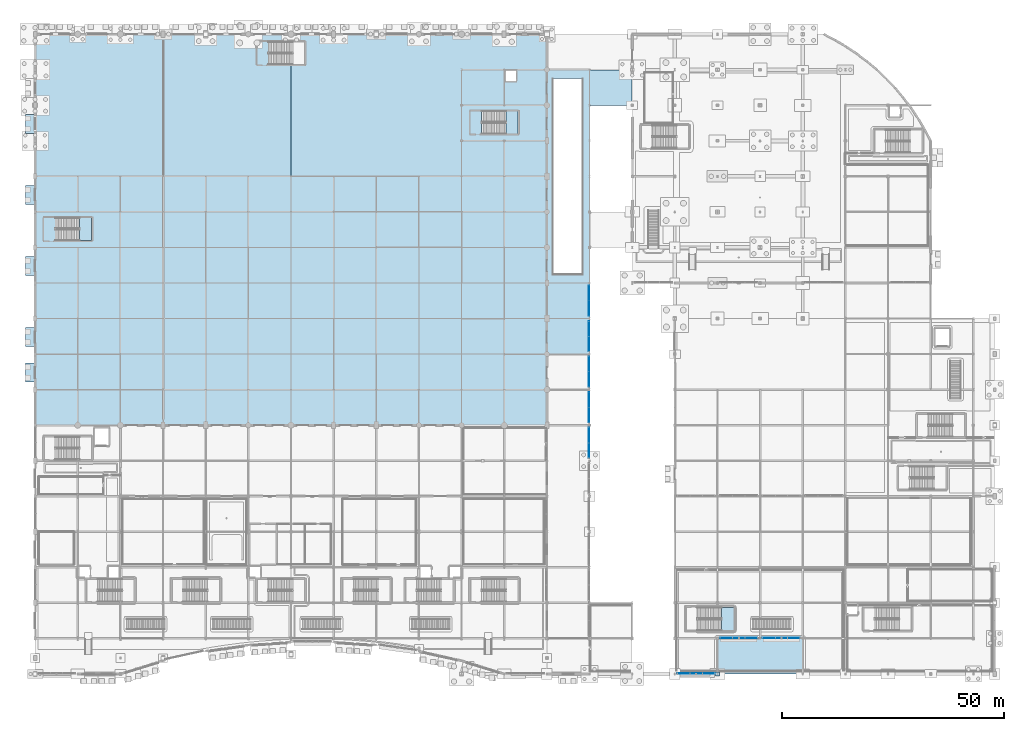
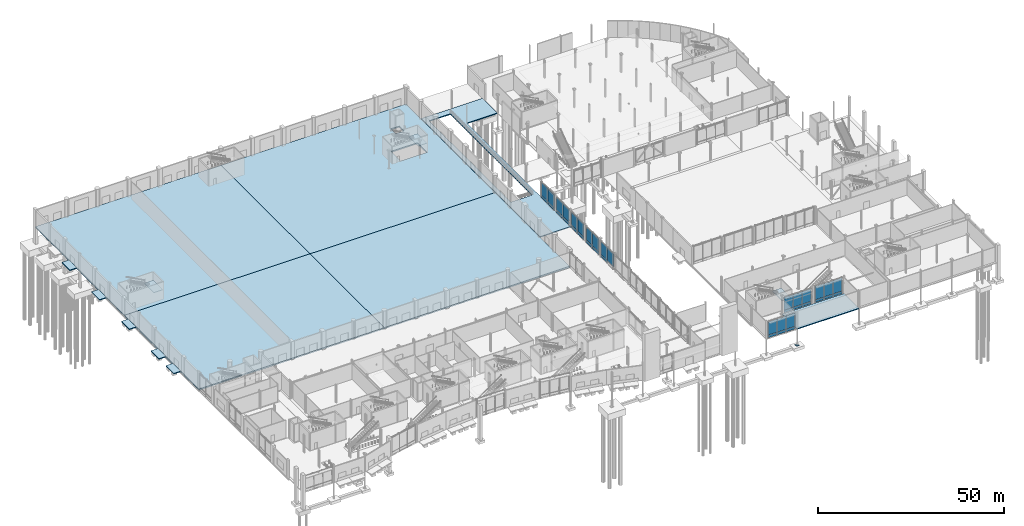
# One storey, part 68 of 124: 38 plates, 14 slabs, 11 elements without a shape of their own.
"""IFC4 building model written with IfcOpenShell, lengths in metres."""

from ifc_helpers import new_model, si_unit, direction, frame, origin, origin_2d, place, context, subcontext, project, spatial, polyline, rectangle, outline, extrude, material, layer, layer_set, type_object, element, aggregate, save


model = new_model("IFC4")

# Units and contexts
model_context = context("Model", 3, precision=1e-05, world=origin(), true_north=direction((0.0, 1.0)))
body_context = subcontext(model_context, "Body", "Model", "MODEL_VIEW")
ifc_project = project(units=[si_unit("LENGTHUNIT", "METRE"), si_unit("AREAUNIT", "SQUARE_METRE"), si_unit("VOLUMEUNIT", "CUBIC_METRE"), si_unit("PLANEANGLEUNIT", "RADIAN"), si_unit("MASSUNIT", "GRAM", prefix="KILO")], contexts=[model_context])

# Site, building, storey
site_placement = place(None, origin())
site = spatial("IfcSite", under=ifc_project, at=site_placement, CompositionType="ELEMENT")
building_placement = place(site_placement, origin())
building = spatial("IfcBuilding", under=site, at=building_placement, Name="Danafjord Basin Convention Centre", CompositionType="ELEMENT")
storey_placement = place(building_placement, origin())
storey = spatial("IfcBuildingStorey", under=building, at=storey_placement, Name="L00", CompositionType="ELEMENT", Elevation=0.0)

# Plate
ifc_material_1 = material(Name="Steel S355", Category="steel")
ifc_layer_1 = layer(ifc_material_1, 0.0400390625)
ifc_layer_set_1 = layer_set([ifc_layer_1], Name="Steel S355")
plate_type_1 = type_object("IfcPlateType", Name="PLT-BP-40", PredefinedType="SHEET", material=ifc_layer_set_1)
plate_1_placement = place(storey_placement, frame((153.60009765625, 0.0, -5.39990234375), z_axis=(0.0, 0.0, 1.0), x_axis=(1.0, 0.0, 0.0)))
element("IfcPlate", 1, at=plate_1_placement, inside=storey, type_object=plate_type_1, Name="L00 column baseplate BP-40 at (153.6, 0.0)", PredefinedType="SHEET", context=body_context, shape_type="SweptSolid", body=[
    extrude(rectangle(XDim=0.85009765625, YDim=0.85009765625, at=origin_2d()), origin(), (0.0, 0.0, 1.0), 0.0400390625),
])

# Curtain wall, plates
ifc_material_2 = material(Name="Anodised aluminium and triple glazing", Category="aluminium")
curtain_wall_type_1 = type_object("IfcCurtainWallType", Name="CW-CW-HARB", PredefinedType="NOTDEFINED", material=ifc_material_2)
curtain_wall_1_placement = place(storey_placement, origin())
curtain_wall_1 = element("IfcCurtainWall", 2, at=curtain_wall_1_placement, inside=storey, type_object=curtain_wall_type_1, Name="L00 CW-HARB unitised curtain wall bay 144", PredefinedType="NOTDEFINED")
ifc_material_3 = material(Name="Triple low-E insulated glazing", Category="glass")
ifc_layer_2 = layer(ifc_material_3, 0.0380859375)
ifc_layer_set_2 = layer_set([ifc_layer_2], Name="Triple low-E insulated glazing")
plate_type_2 = type_object("IfcPlateType", Name="PLT-GP-38", PredefinedType="CURTAIN_PANEL", material=ifc_layer_set_2)
plate_2_placement = place(storey_placement, frame((165.199951171875, 8.1201171875, 0.97802734375), z_axis=(0.0, 0.0, 1.0), x_axis=(1.0, 0.0, 0.0)))
plate_2 = element("IfcPlate", 3, at=plate_2_placement, type_object=plate_type_2, Name="CW-L00-144 vision glazing unit 1", PredefinedType="CURTAIN_PANEL", context=body_context, shape_type="SweptSolid", body=[
    extrude(rectangle(XDim=2.743896484375, YDim=0.0380859375, at=origin_2d()), origin(), (0.0, 0.0, 1.0), 4.283935546875),
])
plate_3_placement = place(storey_placement, frame((168.0, 8.1201171875, 0.97802734375), z_axis=(0.0, 0.0, 1.0), x_axis=(1.0, 0.0, 0.0)))
plate_3 = element("IfcPlate", 4, at=plate_3_placement, type_object=plate_type_2, Name="CW-L00-144 vision glazing unit 2", PredefinedType="CURTAIN_PANEL", context=body_context, shape_type="SweptSolid", body=[
    extrude(rectangle(XDim=2.743896484375, YDim=0.0380859375, at=origin_2d()), origin(), (0.0, 0.0, 1.0), 4.283935546875),
])
plate_4_placement = place(storey_placement, frame((170.800048828125, 8.1201171875, 0.97802734375), z_axis=(0.0, 0.0, 1.0), x_axis=(1.0, 0.0, 0.0)))
plate_4 = element("IfcPlate", 5, at=plate_4_placement, type_object=plate_type_2, Name="CW-L00-144 vision glazing unit 3", PredefinedType="CURTAIN_PANEL", context=body_context, shape_type="SweptSolid", body=[
    extrude(rectangle(XDim=2.743896484375, YDim=0.0380859375, at=origin_2d()), origin(), (0.0, 0.0, 1.0), 4.283935546875),
])

curtain_wall_type_2 = type_object("IfcCurtainWallType", Name="CW-CW-BRIDGE", PredefinedType="NOTDEFINED", material=ifc_material_2)
curtain_wall_2_placement = place(storey_placement, origin())
curtain_wall_2 = element("IfcCurtainWall", 6, at=curtain_wall_2_placement, inside=storey, type_object=curtain_wall_type_2, Name="L00 CW-BRIDGE unitised curtain wall bay 162", PredefinedType="NOTDEFINED")
plate_5_placement = place(storey_placement, frame((124.679931640625, 50.300048828125, 0.97802734375), z_axis=(0.0, 0.0, 1.0), x_axis=(0.0, 1.0, 0.0)))
plate_5 = element("IfcPlate", 7, at=plate_5_placement, type_object=plate_type_2, Name="CW-L00-162 vision glazing unit 1", PredefinedType="CURTAIN_PANEL", context=body_context, shape_type="SweptSolid", body=[
    extrude(rectangle(XDim=3.343994140625, YDim=0.0380859375, at=origin_2d()), origin(), (0.0, 0.0, 1.0), 4.23388671875),
])
plate_6_placement = place(storey_placement, frame((124.679931640625, 53.699951171875, 0.97802734375), z_axis=(0.0, 0.0, 1.0), x_axis=(0.0, 1.0, 0.0)))
plate_6 = element("IfcPlate", 8, at=plate_6_placement, type_object=plate_type_2, Name="CW-L00-162 vision glazing unit 2", PredefinedType="CURTAIN_PANEL", context=body_context, shape_type="SweptSolid", body=[
    extrude(rectangle(XDim=3.343994140625, YDim=0.0380859375, at=origin_2d()), origin(), (0.0, 0.0, 1.0), 4.23388671875),
])

curtain_wall_3_placement = place(storey_placement, origin())
curtain_wall_3 = element("IfcCurtainWall", 9, at=curtain_wall_3_placement, inside=storey, type_object=curtain_wall_type_1, Name="L00 CW-HARB unitised curtain wall bay 129", PredefinedType="NOTDEFINED")
ifc_layer_3 = layer(ifc_material_3, 0.048095703125)
ifc_layer_set_3 = layer_set([ifc_layer_3], Name="Triple low-E insulated glazing")
plate_type_3 = type_object("IfcPlateType", Name="PLT-GP-48", PredefinedType="CURTAIN_PANEL", material=ifc_layer_set_3)
plate_7_placement = place(storey_placement, frame((146.0, 0.1201171875, 0.97802734375), z_axis=(0.0, 0.0, 1.0), x_axis=(1.0, 0.0, 0.0)))
plate_7 = element("IfcPlate", 10, at=plate_7_placement, type_object=plate_type_3, Name="CW-L00-129 vision glazing unit 1", PredefinedType="CURTAIN_PANEL", context=body_context, shape_type="SweptSolid", body=[
    extrude(rectangle(XDim=2.743896484375, YDim=0.048095703125, at=origin_2d()), origin(), (0.0, 0.0, 1.0), 4.23388671875),
])
plate_8_placement = place(storey_placement, frame((148.800048828125, 0.1201171875, 0.97802734375), z_axis=(0.0, 0.0, 1.0), x_axis=(1.0, 0.0, 0.0)))
plate_8 = element("IfcPlate", 11, at=plate_8_placement, type_object=plate_type_3, Name="CW-L00-129 vision glazing unit 2", PredefinedType="CURTAIN_PANEL", context=body_context, shape_type="SweptSolid", body=[
    extrude(rectangle(XDim=2.743896484375, YDim=0.048095703125, at=origin_2d()), origin(), (0.0, 0.0, 1.0), 4.23388671875),
])
plate_9_placement = place(storey_placement, frame((151.60009765625, 0.1201171875, 0.97802734375), z_axis=(0.0, 0.0, 1.0), x_axis=(1.0, 0.0, 0.0)))
plate_9 = element("IfcPlate", 12, at=plate_9_placement, type_object=plate_type_3, Name="CW-L00-129 vision glazing unit 3", PredefinedType="CURTAIN_PANEL", context=body_context, shape_type="SweptSolid", body=[
    extrude(rectangle(XDim=2.743896484375, YDim=0.048095703125, at=origin_2d()), origin(), (0.0, 0.0, 1.0), 4.23388671875),
])

curtain_wall_4_placement = place(storey_placement, origin())
curtain_wall_4 = element("IfcCurtainWall", 13, at=curtain_wall_4_placement, inside=storey, type_object=curtain_wall_type_1, Name="L00 CW-HARB unitised curtain wall bay 143", PredefinedType="NOTDEFINED")
plate_10_placement = place(storey_placement, frame((155.60009765625, 8.1201171875, 0.97802734375), z_axis=(0.0, 0.0, 1.0), x_axis=(1.0, 0.0, 0.0)))
plate_10 = element("IfcPlate", 14, at=plate_10_placement, type_object=plate_type_3, Name="CW-L00-143 vision glazing unit 1", PredefinedType="CURTAIN_PANEL", context=body_context, shape_type="SweptSolid", body=[
    extrude(rectangle(XDim=2.743896484375, YDim=0.048095703125, at=origin_2d()), origin(), (0.0, 0.0, 1.0), 4.033935546875),
])
plate_11_placement = place(storey_placement, frame((158.39990234375, 8.1201171875, 0.97802734375), z_axis=(0.0, 0.0, 1.0), x_axis=(1.0, 0.0, 0.0)))
plate_11 = element("IfcPlate", 15, at=plate_11_placement, type_object=plate_type_3, Name="CW-L00-143 vision glazing unit 2", PredefinedType="CURTAIN_PANEL", context=body_context, shape_type="SweptSolid", body=[
    extrude(rectangle(XDim=2.743896484375, YDim=0.048095703125, at=origin_2d()), origin(), (0.0, 0.0, 1.0), 4.033935546875),
])
plate_12_placement = place(storey_placement, frame((161.199951171875, 8.1201171875, 0.97802734375), z_axis=(0.0, 0.0, 1.0), x_axis=(1.0, 0.0, 0.0)))
plate_12 = element("IfcPlate", 16, at=plate_12_placement, type_object=plate_type_3, Name="CW-L00-143 vision glazing unit 3", PredefinedType="CURTAIN_PANEL", context=body_context, shape_type="SweptSolid", body=[
    extrude(rectangle(XDim=2.743896484375, YDim=0.048095703125, at=origin_2d()), origin(), (0.0, 0.0, 1.0), 4.033935546875),
])

curtain_wall_5_placement = place(storey_placement, origin())
curtain_wall_5 = element("IfcCurtainWall", 17, at=curtain_wall_5_placement, inside=storey, type_object=curtain_wall_type_2, Name="L00 CW-BRIDGE unitised curtain wall bay 165", PredefinedType="NOTDEFINED")
plate_13_placement = place(storey_placement, frame((124.679931640625, 58.300048828125, 0.97802734375), z_axis=(0.0, 0.0, 1.0), x_axis=(0.0, 1.0, 0.0)))
plate_13 = element("IfcPlate", 18, at=plate_13_placement, type_object=plate_type_3, Name="CW-L00-165 vision glazing unit 1", PredefinedType="CURTAIN_PANEL", context=body_context, shape_type="SweptSolid", body=[
    extrude(rectangle(XDim=3.343994140625, YDim=0.048095703125, at=origin_2d()), origin(), (0.0, 0.0, 1.0), 4.283935546875),
])
plate_14_placement = place(storey_placement, frame((124.679931640625, 61.699951171875, 0.97802734375), z_axis=(0.0, 0.0, 1.0), x_axis=(0.0, 1.0, 0.0)))
plate_14 = element("IfcPlate", 19, at=plate_14_placement, type_object=plate_type_3, Name="CW-L00-165 vision glazing unit 2", PredefinedType="CURTAIN_PANEL", context=body_context, shape_type="SweptSolid", body=[
    extrude(rectangle(XDim=3.343994140625, YDim=0.048095703125, at=origin_2d()), origin(), (0.0, 0.0, 1.0), 4.283935546875),
])

curtain_wall_6_placement = place(storey_placement, origin())
curtain_wall_6 = element("IfcCurtainWall", 20, at=curtain_wall_6_placement, inside=storey, type_object=curtain_wall_type_2, Name="L00 CW-BRIDGE unitised curtain wall bay 167", PredefinedType="NOTDEFINED")
plate_15_placement = place(storey_placement, frame((124.679931640625, 66.300048828125, 0.97802734375), z_axis=(0.0, 0.0, 1.0), x_axis=(0.0, 1.0, 0.0)))
plate_15 = element("IfcPlate", 21, at=plate_15_placement, type_object=plate_type_3, Name="CW-L00-167 vision glazing unit 1", PredefinedType="CURTAIN_PANEL", context=body_context, shape_type="SweptSolid", body=[
    extrude(rectangle(XDim=3.343994140625, YDim=0.048095703125, at=origin_2d()), origin(), (0.0, 0.0, 1.0), 4.23388671875),
])
plate_16_placement = place(storey_placement, frame((124.679931640625, 69.699951171875, 0.97802734375), z_axis=(0.0, 0.0, 1.0), x_axis=(0.0, 1.0, 0.0)))
plate_16 = element("IfcPlate", 22, at=plate_16_placement, type_object=plate_type_3, Name="CW-L00-167 vision glazing unit 2", PredefinedType="CURTAIN_PANEL", context=body_context, shape_type="SweptSolid", body=[
    extrude(rectangle(XDim=3.343994140625, YDim=0.048095703125, at=origin_2d()), origin(), (0.0, 0.0, 1.0), 4.23388671875),
])

curtain_wall_7_placement = place(storey_placement, origin())
curtain_wall_7 = element("IfcCurtainWall", 23, at=curtain_wall_7_placement, inside=storey, type_object=curtain_wall_type_2, Name="L00 CW-BRIDGE unitised curtain wall bay 169", PredefinedType="NOTDEFINED")
plate_17_placement = place(storey_placement, frame((124.679931640625, 74.300048828125, 0.97802734375), z_axis=(0.0, 0.0, 1.0), x_axis=(0.0, 1.0, 0.0)))
plate_17 = element("IfcPlate", 24, at=plate_17_placement, type_object=plate_type_3, Name="CW-L00-169 vision glazing unit 1", PredefinedType="CURTAIN_PANEL", context=body_context, shape_type="SweptSolid", body=[
    extrude(rectangle(XDim=3.343994140625, YDim=0.048095703125, at=origin_2d()), origin(), (0.0, 0.0, 1.0), 4.283935546875),
])
plate_18_placement = place(storey_placement, frame((124.679931640625, 77.699951171875, 0.97802734375), z_axis=(0.0, 0.0, 1.0), x_axis=(0.0, 1.0, 0.0)))
plate_18 = element("IfcPlate", 25, at=plate_18_placement, type_object=plate_type_3, Name="CW-L00-169 vision glazing unit 2", PredefinedType="CURTAIN_PANEL", context=body_context, shape_type="SweptSolid", body=[
    extrude(rectangle(XDim=3.343994140625, YDim=0.048095703125, at=origin_2d()), origin(), (0.0, 0.0, 1.0), 4.283935546875),
])

curtain_wall_8_placement = place(storey_placement, origin())
curtain_wall_8 = element("IfcCurtainWall", 26, at=curtain_wall_8_placement, inside=storey, type_object=curtain_wall_type_2, Name="L00 CW-BRIDGE unitised curtain wall bay 171", PredefinedType="NOTDEFINED")
plate_19_placement = place(storey_placement, frame((124.679931640625, 82.300048828125, 0.97802734375), z_axis=(0.0, 0.0, 1.0), x_axis=(0.0, 1.0, 0.0)))
plate_19 = element("IfcPlate", 27, at=plate_19_placement, type_object=plate_type_3, Name="CW-L00-171 vision glazing unit 1", PredefinedType="CURTAIN_PANEL", context=body_context, shape_type="SweptSolid", body=[
    extrude(rectangle(XDim=3.343994140625, YDim=0.048095703125, at=origin_2d()), origin(), (0.0, 0.0, 1.0), 4.23388671875),
])
plate_20_placement = place(storey_placement, frame((124.679931640625, 85.699951171875, 0.97802734375), z_axis=(0.0, 0.0, 1.0), x_axis=(0.0, 1.0, 0.0)))
plate_20 = element("IfcPlate", 28, at=plate_20_placement, type_object=plate_type_3, Name="CW-L00-171 vision glazing unit 2", PredefinedType="CURTAIN_PANEL", context=body_context, shape_type="SweptSolid", body=[
    extrude(rectangle(XDim=3.343994140625, YDim=0.048095703125, at=origin_2d()), origin(), (0.0, 0.0, 1.0), 4.23388671875),
])

# Plate
ifc_material_4 = material(Name="Insulated aluminium spandrel cassette", Category="aluminium")
ifc_layer_4 = layer(ifc_material_4, 0.070068359375)
ifc_layer_set_4 = layer_set([ifc_layer_4], Name="Insulated aluminium spandrel cassette")
plate_type_4 = type_object("IfcPlateType", Name="PLT-SPN-70", PredefinedType="CURTAIN_PANEL", material=ifc_layer_set_4)
plate_21_placement = place(storey_placement, frame((165.199951171875, 8.1201171875, 0.087890625), z_axis=(0.0, 0.0, 1.0), x_axis=(1.0, 0.0, 0.0)))
plate_21 = element("IfcPlate", 29, at=plate_21_placement, type_object=plate_type_4, Name="CW-L00-144 spandrel cassette 1", PredefinedType="CURTAIN_PANEL", context=body_context, shape_type="SweptSolid", body=[
    extrude(rectangle(XDim=2.743896484375, YDim=0.070068359375, at=origin_2d()), origin(), (0.0, 0.0, 1.0), 0.833984375),
])

plate_22_placement = place(storey_placement, frame((168.0, 8.1201171875, 0.087890625), z_axis=(0.0, 0.0, 1.0), x_axis=(1.0, 0.0, 0.0)))
plate_22 = element("IfcPlate", 30, at=plate_22_placement, type_object=plate_type_4, Name="CW-L00-144 spandrel cassette 2", PredefinedType="CURTAIN_PANEL", context=body_context, shape_type="SweptSolid", body=[
    extrude(rectangle(XDim=2.743896484375, YDim=0.070068359375, at=origin_2d()), origin(), (0.0, 0.0, 1.0), 0.833984375),
])

plate_23_placement = place(storey_placement, frame((170.800048828125, 8.1201171875, 0.087890625), z_axis=(0.0, 0.0, 1.0), x_axis=(1.0, 0.0, 0.0)))
plate_23 = element("IfcPlate", 31, at=plate_23_placement, type_object=plate_type_4, Name="CW-L00-144 spandrel cassette 3", PredefinedType="CURTAIN_PANEL", context=body_context, shape_type="SweptSolid", body=[
    extrude(rectangle(XDim=2.743896484375, YDim=0.070068359375, at=origin_2d()), origin(), (0.0, 0.0, 1.0), 0.833984375),
])

aggregate(curtain_wall_1, [plate_21, plate_2, plate_22, plate_3, plate_23, plate_4])

plate_24_placement = place(storey_placement, frame((124.679931640625, 53.699951171875, 0.087890625), z_axis=(0.0, 0.0, 1.0), x_axis=(0.0, 1.0, 0.0)))
plate_24 = element("IfcPlate", 32, at=plate_24_placement, type_object=plate_type_4, Name="CW-L00-162 spandrel cassette 2", PredefinedType="CURTAIN_PANEL", context=body_context, shape_type="SweptSolid", body=[
    extrude(rectangle(XDim=3.343994140625, YDim=0.070068359375, at=origin_2d()), origin(), (0.0, 0.0, 1.0), 0.833984375),
])

aggregate(curtain_wall_2, [plate_5, plate_24, plate_6])

ifc_layer_5 = layer(ifc_material_4, 0.090087890625)
ifc_layer_set_5 = layer_set([ifc_layer_5], Name="Insulated aluminium spandrel cassette")
plate_type_5 = type_object("IfcPlateType", Name="PLT-SPN-90", PredefinedType="CURTAIN_PANEL", material=ifc_layer_set_5)
plate_25_placement = place(storey_placement, frame((146.0, 0.1201171875, 0.087890625), z_axis=(0.0, 0.0, 1.0), x_axis=(1.0, 0.0, 0.0)))
plate_25 = element("IfcPlate", 33, at=plate_25_placement, type_object=plate_type_5, Name="CW-L00-129 spandrel cassette 1", PredefinedType="CURTAIN_PANEL", context=body_context, shape_type="SweptSolid", body=[
    extrude(rectangle(XDim=2.743896484375, YDim=0.090087890625, at=origin_2d()), origin(), (0.0, 0.0, 1.0), 0.833984375),
])

plate_26_placement = place(storey_placement, frame((148.800048828125, 0.1201171875, 0.087890625), z_axis=(0.0, 0.0, 1.0), x_axis=(1.0, 0.0, 0.0)))
plate_26 = element("IfcPlate", 34, at=plate_26_placement, type_object=plate_type_5, Name="CW-L00-129 spandrel cassette 2", PredefinedType="CURTAIN_PANEL", context=body_context, shape_type="SweptSolid", body=[
    extrude(rectangle(XDim=2.743896484375, YDim=0.090087890625, at=origin_2d()), origin(), (0.0, 0.0, 1.0), 0.833984375),
])

plate_27_placement = place(storey_placement, frame((151.60009765625, 0.1201171875, 0.087890625), z_axis=(0.0, 0.0, 1.0), x_axis=(1.0, 0.0, 0.0)))
plate_27 = element("IfcPlate", 35, at=plate_27_placement, type_object=plate_type_5, Name="CW-L00-129 spandrel cassette 3", PredefinedType="CURTAIN_PANEL", context=body_context, shape_type="SweptSolid", body=[
    extrude(rectangle(XDim=2.743896484375, YDim=0.090087890625, at=origin_2d()), origin(), (0.0, 0.0, 1.0), 0.833984375),
])

aggregate(curtain_wall_3, [plate_25, plate_7, plate_26, plate_8, plate_27, plate_9])

plate_28_placement = place(storey_placement, frame((155.60009765625, 8.1201171875, 0.087890625), z_axis=(0.0, 0.0, 1.0), x_axis=(1.0, 0.0, 0.0)))
plate_28 = element("IfcPlate", 36, at=plate_28_placement, type_object=plate_type_5, Name="CW-L00-143 spandrel cassette 1", PredefinedType="CURTAIN_PANEL", context=body_context, shape_type="SweptSolid", body=[
    extrude(rectangle(XDim=2.743896484375, YDim=0.090087890625, at=origin_2d()), origin(), (0.0, 0.0, 1.0), 0.833984375),
])

plate_29_placement = place(storey_placement, frame((158.39990234375, 8.1201171875, 0.087890625), z_axis=(0.0, 0.0, 1.0), x_axis=(1.0, 0.0, 0.0)))
plate_29 = element("IfcPlate", 37, at=plate_29_placement, type_object=plate_type_5, Name="CW-L00-143 spandrel cassette 2", PredefinedType="CURTAIN_PANEL", context=body_context, shape_type="SweptSolid", body=[
    extrude(rectangle(XDim=2.743896484375, YDim=0.090087890625, at=origin_2d()), origin(), (0.0, 0.0, 1.0), 0.833984375),
])

plate_30_placement = place(storey_placement, frame((161.199951171875, 8.1201171875, 0.087890625), z_axis=(0.0, 0.0, 1.0), x_axis=(1.0, 0.0, 0.0)))
plate_30 = element("IfcPlate", 38, at=plate_30_placement, type_object=plate_type_5, Name="CW-L00-143 spandrel cassette 3", PredefinedType="CURTAIN_PANEL", context=body_context, shape_type="SweptSolid", body=[
    extrude(rectangle(XDim=2.743896484375, YDim=0.090087890625, at=origin_2d()), origin(), (0.0, 0.0, 1.0), 0.833984375),
])

aggregate(curtain_wall_4, [plate_28, plate_10, plate_29, plate_11, plate_30, plate_12])

plate_31_placement = place(storey_placement, frame((124.679931640625, 58.300048828125, 0.087890625), z_axis=(0.0, 0.0, 1.0), x_axis=(0.0, 1.0, 0.0)))
plate_31 = element("IfcPlate", 39, at=plate_31_placement, type_object=plate_type_5, Name="CW-L00-165 spandrel cassette 1", PredefinedType="CURTAIN_PANEL", context=body_context, shape_type="SweptSolid", body=[
    extrude(rectangle(XDim=3.343994140625, YDim=0.090087890625, at=origin_2d()), origin(), (0.0, 0.0, 1.0), 0.833984375),
])

plate_32_placement = place(storey_placement, frame((124.679931640625, 61.699951171875, 0.087890625), z_axis=(0.0, 0.0, 1.0), x_axis=(0.0, 1.0, 0.0)))
plate_32 = element("IfcPlate", 40, at=plate_32_placement, type_object=plate_type_5, Name="CW-L00-165 spandrel cassette 2", PredefinedType="CURTAIN_PANEL", context=body_context, shape_type="SweptSolid", body=[
    extrude(rectangle(XDim=3.343994140625, YDim=0.090087890625, at=origin_2d()), origin(), (0.0, 0.0, 1.0), 0.833984375),
])

aggregate(curtain_wall_5, [plate_31, plate_13, plate_32, plate_14])

plate_33_placement = place(storey_placement, frame((124.679931640625, 66.300048828125, 0.087890625), z_axis=(0.0, 0.0, 1.0), x_axis=(0.0, 1.0, 0.0)))
plate_33 = element("IfcPlate", 41, at=plate_33_placement, type_object=plate_type_5, Name="CW-L00-167 spandrel cassette 1", PredefinedType="CURTAIN_PANEL", context=body_context, shape_type="SweptSolid", body=[
    extrude(rectangle(XDim=3.343994140625, YDim=0.090087890625, at=origin_2d()), origin(), (0.0, 0.0, 1.0), 0.833984375),
])

plate_34_placement = place(storey_placement, frame((124.679931640625, 69.699951171875, 0.087890625), z_axis=(0.0, 0.0, 1.0), x_axis=(0.0, 1.0, 0.0)))
plate_34 = element("IfcPlate", 42, at=plate_34_placement, type_object=plate_type_5, Name="CW-L00-167 spandrel cassette 2", PredefinedType="CURTAIN_PANEL", context=body_context, shape_type="SweptSolid", body=[
    extrude(rectangle(XDim=3.343994140625, YDim=0.090087890625, at=origin_2d()), origin(), (0.0, 0.0, 1.0), 0.833984375),
])

aggregate(curtain_wall_6, [plate_33, plate_15, plate_34, plate_16])

plate_35_placement = place(storey_placement, frame((124.679931640625, 74.300048828125, 0.087890625), z_axis=(0.0, 0.0, 1.0), x_axis=(0.0, 1.0, 0.0)))
plate_35 = element("IfcPlate", 43, at=plate_35_placement, type_object=plate_type_5, Name="CW-L00-169 spandrel cassette 1", PredefinedType="CURTAIN_PANEL", context=body_context, shape_type="SweptSolid", body=[
    extrude(rectangle(XDim=3.343994140625, YDim=0.090087890625, at=origin_2d()), origin(), (0.0, 0.0, 1.0), 0.833984375),
])

plate_36_placement = place(storey_placement, frame((124.679931640625, 77.699951171875, 0.087890625), z_axis=(0.0, 0.0, 1.0), x_axis=(0.0, 1.0, 0.0)))
plate_36 = element("IfcPlate", 44, at=plate_36_placement, type_object=plate_type_5, Name="CW-L00-169 spandrel cassette 2", PredefinedType="CURTAIN_PANEL", context=body_context, shape_type="SweptSolid", body=[
    extrude(rectangle(XDim=3.343994140625, YDim=0.090087890625, at=origin_2d()), origin(), (0.0, 0.0, 1.0), 0.833984375),
])

aggregate(curtain_wall_7, [plate_35, plate_17, plate_36, plate_18])

plate_37_placement = place(storey_placement, frame((124.679931640625, 82.300048828125, 0.087890625), z_axis=(0.0, 0.0, 1.0), x_axis=(0.0, 1.0, 0.0)))
plate_37 = element("IfcPlate", 45, at=plate_37_placement, type_object=plate_type_5, Name="CW-L00-171 spandrel cassette 1", PredefinedType="CURTAIN_PANEL", context=body_context, shape_type="SweptSolid", body=[
    extrude(rectangle(XDim=3.343994140625, YDim=0.090087890625, at=origin_2d()), origin(), (0.0, 0.0, 1.0), 0.833984375),
])

plate_38_placement = place(storey_placement, frame((124.679931640625, 85.699951171875, 0.087890625), z_axis=(0.0, 0.0, 1.0), x_axis=(0.0, 1.0, 0.0)))
plate_38 = element("IfcPlate", 46, at=plate_38_placement, type_object=plate_type_5, Name="CW-L00-171 spandrel cassette 2", PredefinedType="CURTAIN_PANEL", context=body_context, shape_type="SweptSolid", body=[
    extrude(rectangle(XDim=3.343994140625, YDim=0.090087890625, at=origin_2d()), origin(), (0.0, 0.0, 1.0), 0.833984375),
])

aggregate(curtain_wall_8, [plate_37, plate_19, plate_38, plate_20])

# Slabs
ifc_material_5 = material(Name="Concrete C40/50", Category="concrete")
ifc_layer_6 = layer(ifc_material_5, 0.280029296875)
ifc_layer_set_6 = layer_set([ifc_layer_6], Name="Concrete C40/50")
slab_type_1 = type_object("IfcSlabType", Name="SLAB-EXT-280", PredefinedType="FLOOR", material=ifc_layer_set_6)
slab_1_placement = place(storey_placement, frame((0.0, 0.0, -0.280029296875)))
element("IfcSlab", 47, at=slab_1_placement, inside=storey, type_object=slab_type_1, Name="L00 exterior courtyard apron slab SL-L00-CRTS", PredefinedType="FLOOR", context=body_context, shape_type="SweptSolid", body=[
    extrude(outline(polyline([(153.60009765625, 0.0), (153.60009765625, 8.0), (172.800048828125, 8.0), (172.800048828125, 0.0), (153.60009765625, 0.0)])), origin(), (0.0, 0.0, 1.0), 0.280029296875),
])
slab_2_placement = place(storey_placement, frame((0.0, 0.0, -0.280029296875)))
element("IfcSlab", 48, at=slab_2_placement, inside=storey, type_object=slab_type_1, Name="L00 exterior threshold apron EXW36", PredefinedType="FLOOR", context=body_context, shape_type="SweptSolid", body=[
    extrude(outline(polyline([(-2.199951171875, 65.699951171875), (-2.199951171875, 69.97998046875), (-0.014892578125, 69.97998046875), (-0.014892578125, 65.699951171875), (-2.199951171875, 65.699951171875)])), origin(), (0.0, 0.0, 1.0), 0.280029296875),
])
slab_3_placement = place(storey_placement, frame((0.0, 0.0, -0.280029296875)))
element("IfcSlab", 49, at=slab_3_placement, inside=storey, type_object=slab_type_1, Name="L00 exterior threshold apron EXW38", PredefinedType="FLOOR", context=body_context, shape_type="SweptSolid", body=[
    extrude(outline(polyline([(-2.199951171875, 73.699951171875), (-2.199951171875, 77.97998046875), (-0.014892578125, 77.97998046875), (-0.014892578125, 73.699951171875), (-2.199951171875, 73.699951171875)])), origin(), (0.0, 0.0, 1.0), 0.280029296875),
])
slab_4_placement = place(storey_placement, frame((0.0, 0.0, -0.280029296875)))
element("IfcSlab", 50, at=slab_4_placement, inside=storey, type_object=slab_type_1, Name="L00 exterior threshold apron EXW40", PredefinedType="FLOOR", context=body_context, shape_type="SweptSolid", body=[
    extrude(outline(polyline([(-2.199951171875, 89.699951171875), (-2.199951171875, 93.97998046875), (-0.014892578125, 93.97998046875), (-0.014892578125, 89.699951171875), (-2.199951171875, 89.699951171875)])), origin(), (0.0, 0.0, 1.0), 0.280029296875),
])
slab_5_placement = place(storey_placement, frame((0.0, 0.0, -0.280029296875)))
element("IfcSlab", 51, at=slab_5_placement, inside=storey, type_object=slab_type_1, Name="L00 exterior threshold apron EXW42", PredefinedType="FLOOR", context=body_context, shape_type="SweptSolid", body=[
    extrude(outline(polyline([(-2.199951171875, 105.699951171875), (-2.199951171875, 109.97998046875), (-0.014892578125, 109.97998046875), (-0.014892578125, 105.699951171875), (-2.199951171875, 105.699951171875)])), origin(), (0.0, 0.0, 1.0), 0.280029296875),
])
slab_6_placement = place(storey_placement, frame((0.0, 0.0, -0.280029296875)))
element("IfcSlab", 52, at=slab_6_placement, inside=storey, type_object=slab_type_1, Name="L00 exterior threshold apron EXW44", PredefinedType="FLOOR", context=body_context, shape_type="SweptSolid", body=[
    extrude(outline(polyline([(-2.199951171875, 121.699951171875), (-2.199951171875, 125.97998046875), (-0.014892578125, 125.97998046875), (-0.014892578125, 121.699951171875), (-2.199951171875, 121.699951171875)])), origin(), (0.0, 0.0, 1.0), 0.280029296875),
])
ifc_material_6 = material(Name="Concrete C35/45", Category="concrete")
ifc_layer_7 = layer(ifc_material_6, 0.2900390625)
ifc_layer_set_7 = layer_set([ifc_layer_7], Name="Concrete C35/45")
slab_type_2 = type_object("IfcSlabType", Name="SLAB-FS-290", PredefinedType="FLOOR", material=ifc_layer_set_7)
slab_7_placement = place(storey_placement, frame((0.0, 0.0, -0.2900390625)))
element("IfcSlab", 53, at=slab_7_placement, inside=storey, type_object=slab_type_2, Name="L00 FS-290 slab SL-L00-V6N", PredefinedType="FLOOR", context=body_context, shape_type="SweptSolid", body=[
    extrude(outline(polyline([(115.25, 136.0), (134.35009765625, 136.0), (134.35009765625, 128.0), (124.800048828125, 128.0), (124.800048828125, 72.0), (115.25, 72.0), (115.25, 136.0)]), holes=[polyline([(123.199951171875, 90.0), (123.199951171875, 134.0), (116.60009765625, 134.0), (116.60009765625, 90.0), (123.199951171875, 90.0)])]), origin(), (0.0, 0.0, 1.0), 0.2900390625),
])
ifc_layer_8 = layer(ifc_material_5, 0.419921875)
ifc_layer_set_8 = layer_set([ifc_layer_8], Name="Concrete C40/50")
slab_type_3 = type_object("IfcSlabType", Name="SLAB-FS-420", PredefinedType="FLOOR", material=ifc_layer_set_8)
slab_8_placement = place(storey_placement, frame((0.0, 0.0, -0.419921875)))
element("IfcSlab", 54, at=slab_8_placement, inside=storey, type_object=slab_type_3, Name="L00 FS-420 slab SL-L00-V1C", PredefinedType="FLOOR", context=body_context, shape_type="SweptSolid", body=[
    extrude(outline(polyline([(0.0, 96.0), (0.0, 144.0), (57.60009765625, 144.0), (57.60009765625, 96.0), (0.0, 96.0)])), origin(), (0.0, 0.0, 1.0), 0.419921875),
])
slab_9_placement = place(storey_placement, frame((0.0, 0.0, -0.419921875)))
element("IfcSlab", 55, at=slab_9_placement, inside=storey, type_object=slab_type_3, Name="L00 FS-420 slab SL-L00-V1D", PredefinedType="FLOOR", context=body_context, shape_type="SweptSolid", body=[
    extrude(outline(polyline([(57.60009765625, 144.0), (115.14990234375, 144.0), (115.14990234375, 96.0), (57.60009765625, 96.0), (57.60009765625, 144.0)]), holes=[polyline([(108.72998046875, 121.56005859375), (108.72998046875, 126.699951171875), (100.530029296875, 126.699951171875), (100.530029296875, 121.56005859375), (108.72998046875, 121.56005859375)]), polyline([(105.800048828125, 133.300048828125), (108.39990234375, 133.300048828125), (108.39990234375, 135.89990234375), (105.800048828125, 135.89990234375), (105.800048828125, 133.300048828125)])]), origin(), (0.0, 0.0, 1.0), 0.419921875),
])
ifc_layer_9 = layer(ifc_material_5, 0.449951171875)
ifc_layer_set_9 = layer_set([ifc_layer_9], Name="Concrete C40/50")
slab_type_4 = type_object("IfcSlabType", Name="SLAB-FS-450", PredefinedType="FLOOR", material=ifc_layer_set_9)
slab_10_placement = place(storey_placement, frame((0.0, 0.0, -0.449951171875)))
element("IfcSlab", 56, at=slab_10_placement, inside=storey, type_object=slab_type_4, Name="L00 FS-450 slab SL-L00-V1A", PredefinedType="FLOOR", context=body_context, shape_type="SweptSolid", body=[
    extrude(outline(polyline([(0.0, 56.0), (0.0, 96.0), (57.60009765625, 96.0), (57.60009765625, 56.0), (0.0, 56.0)])), origin(), (0.0, 0.0, 1.0), 0.449951171875),
])
slab_11_placement = place(storey_placement, frame((0.0, 0.0, -0.449951171875)))
element("IfcSlab", 57, at=slab_11_placement, inside=storey, type_object=slab_type_4, Name="L00 FS-450 slab SL-L00-V1B", PredefinedType="FLOOR", context=body_context, shape_type="SweptSolid", body=[
    extrude(outline(polyline([(57.60009765625, 56.0), (57.60009765625, 96.0), (115.14990234375, 96.0), (115.14990234375, 56.0), (57.60009765625, 56.0)])), origin(), (0.0, 0.0, 1.0), 0.449951171875),
])

# Stair, slab
stair_type = type_object("IfcStairType", Name="STAIR-STR-C01", PredefinedType="TWO_STRAIGHT_RUN_STAIR", material=ifc_material_5)
stair_1_placement = place(storey_placement, origin())
stair_1 = element("IfcStair", 58, at=stair_1_placement, inside=storey, type_object=stair_type, Name="L00 North Exhibition Core Stair 1", PredefinedType="HALF_TURN_STAIR")
ifc_layer_10 = layer(ifc_material_5, 0.199951171875)
ifc_layer_set_10 = layer_set([ifc_layer_10], Name="Concrete C40/50")
slab_type_5 = type_object("IfcSlabType", Name="SLAB-LAND-200", PredefinedType="LANDING", material=ifc_layer_set_10)
slab_12_placement = place(storey_placement, frame((0.0, 0.0, 2.800048828125)))
slab_12 = element("IfcSlab", 59, at=slab_12_placement, type_object=slab_type_5, Name="ST-09 landing 1", PredefinedType="LANDING", context=body_context, shape_type="SweptSolid", body=[
    extrude(outline(polyline([(106.0048828125, 121.56005859375), (108.72998046875, 121.56005859375), (108.72998046875, 126.699951171875), (106.0048828125, 126.699951171875), (106.0048828125, 121.56005859375)])), origin(), (0.0, 0.0, 1.0), 0.199951171875),
])
aggregate(stair_1, [slab_12])

stair_2_placement = place(storey_placement, origin())
stair_2 = element("IfcStair", 60, at=stair_2_placement, inside=storey, type_object=stair_type, Name="L00 West Exhibition Perimeter Stair", PredefinedType="HALF_TURN_STAIR")
slab_13_placement = place(storey_placement, frame((0.0, 0.0, 2.800048828125)))
slab_13 = element("IfcSlab", 61, at=slab_13_placement, type_object=slab_type_5, Name="ST-08 landing 1", PredefinedType="LANDING", context=body_context, shape_type="SweptSolid", body=[
    extrude(outline(polyline([(10.0048828125, 97.56005859375), (12.72998046875, 97.56005859375), (12.72998046875, 102.699951171875), (10.0048828125, 102.699951171875), (10.0048828125, 97.56005859375)])), origin(), (0.0, 0.0, 1.0), 0.199951171875),
])
aggregate(stair_2, [slab_13])

stair_3_placement = place(storey_placement, origin())
stair_3 = element("IfcStair", 62, at=stair_3_placement, inside=storey, type_object=stair_type, Name="L00 Harbour Pavilion West Escape Stair", PredefinedType="HALF_TURN_STAIR")
slab_14_placement = place(storey_placement, frame((0.0, 0.0, 2.800048828125)))
slab_14 = element("IfcSlab", 63, at=slab_14_placement, type_object=slab_type_5, Name="ST-16 landing 1", PredefinedType="LANDING", context=body_context, shape_type="SweptSolid", body=[
    extrude(outline(polyline([(154.554931640625, 9.81005859375), (157.280029296875, 9.81005859375), (157.280029296875, 14.949951171875), (154.554931640625, 14.949951171875), (154.554931640625, 9.81005859375)])), origin(), (0.0, 0.0, 1.0), 0.199951171875),
])
aggregate(stair_3, [slab_14])

save(model, "model.ifc")
